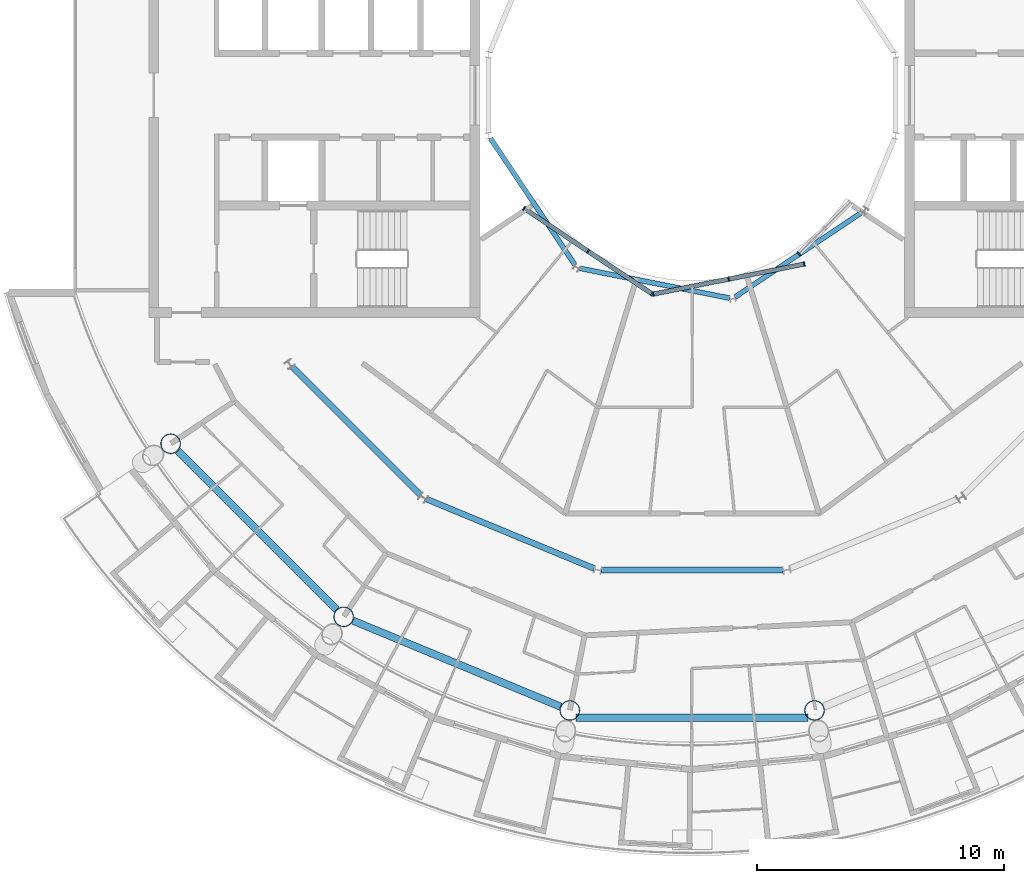
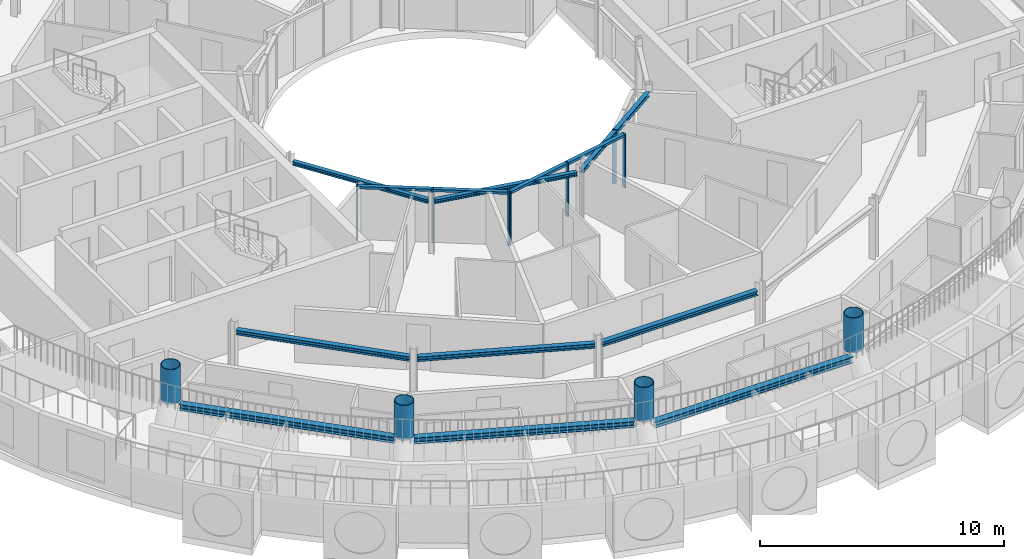
# One storey, part 6 of 29: 15 members, 9 beams, 3 elements without a shape of their own.
"""IFC4 building model written with IfcOpenShell, lengths in metres."""

from ifc_helpers import new_model, si_unit, direction, frame, origin, origin_2d, place, context, subcontext, project, spatial, rectangle, hollow_circle, i_section, extrude, material, layer, layer_set, material_profile, profile_set, type_object, element, aggregate, save


model = new_model("IFC4")

# Units and contexts
model_context = context("Model", 3, precision=1e-05, world=origin(), true_north=direction((0.0, 1.0)))
body_context = subcontext(model_context, "Body", "Model", "MODEL_VIEW")
ifc_project = project(units=[si_unit("LENGTHUNIT", "METRE"), si_unit("AREAUNIT", "SQUARE_METRE"), si_unit("VOLUMEUNIT", "CUBIC_METRE"), si_unit("PLANEANGLEUNIT", "RADIAN"), si_unit("MASSUNIT", "GRAM", prefix="KILO")], contexts=[model_context])

# Site, building, storey
site_placement = place(None, origin())
site = spatial("IfcSite", under=ifc_project, at=site_placement, CompositionType="ELEMENT")
building_placement = place(site_placement, origin())
building = spatial("IfcBuilding", under=site, at=building_placement, Name="Maasbend Ring Residences", CompositionType="ELEMENT")
storey_placement = place(building_placement, frame((0.0, 0.0, 234.050048828125)))
storey = spatial("IfcBuildingStorey", under=building, at=storey_placement, Name="L67", CompositionType="ELEMENT", Elevation=234.050048828125)

# Curtain wall, members
ifc_material_1 = material(Name="Aluminium and clear glass", Category="aluminium")
ifc_layer = layer(ifc_material_1, 0.179931640625)
ifc_layer_set = layer_set([ifc_layer], Name="CW-W")
curtain_wall_type = type_object("IfcCurtainWallType", Name="CW-W", PredefinedType="NOTDEFINED", material=ifc_layer_set)
curtain_wall_1_placement = place(storey_placement, origin())
curtain_wall_1 = element("IfcCurtainWall", 1, at=curtain_wall_1_placement, inside=storey, type_object=curtain_wall_type, Name="Well curtain wall S1", PredefinedType="NOTDEFINED")
ifc_material_2 = material(Name="Aluminium 6063-T6", Category="aluminium")
ifc_material_profile_1 = material_profile(ifc_material_2, rectangle(XDim=0.179931640625, YDim=0.06005859375, at=origin_2d()), Name="AL 180x60")
ifc_profile_set_1 = profile_set([ifc_material_profile_1], Name="Aluminium 6063-T6")
member_type_1 = type_object("IfcMemberType", Name="CWM-W", PredefinedType="MULLION", material=ifc_profile_set_1)
member_1_placement = place(storey_placement, frame((-6.805908203125, -4.580810546875, 0.0), z_axis=(0.0, 0.0, 1.0), x_axis=(0.55557023302, 0.831469612303, 0.0)))
member_1 = element("IfcMember", 2, at=member_1_placement, type_object=member_type_1, Name="Mullion well face", PredefinedType="MULLION", context=body_context, shape_type="SweptSolid", body=[
    extrude(rectangle(XDim=0.179931640625, YDim=0.06005859375, at=origin_2d()), origin(), (0.0, 0.0, 1.0), 2.699951171875),
])
member_2_placement = place(storey_placement, frame((-4.216796875, -6.310791015625, 0.0), z_axis=(0.0, 0.0, 1.0), x_axis=(0.55557023302, 0.831469612303, 0.0)))
member_2 = element("IfcMember", 3, at=member_2_placement, type_object=member_type_1, Name="Mullion well face", PredefinedType="MULLION", context=body_context, shape_type="SweptSolid", body=[
    extrude(rectangle(XDim=0.179931640625, YDim=0.06005859375, at=origin_2d()), origin(), (0.0, 0.0, 1.0), 2.699951171875),
])
member_3_placement = place(storey_placement, frame((-1.627685546875, -8.040771484375, 0.0), z_axis=(0.0, 0.0, 1.0), x_axis=(0.55557023302, 0.831469612303, 0.0)))
member_3 = element("IfcMember", 4, at=member_3_placement, type_object=member_type_1, Name="Mullion well face", PredefinedType="MULLION", context=body_context, shape_type="SweptSolid", body=[
    extrude(rectangle(XDim=0.179931640625, YDim=0.06005859375, at=origin_2d()), origin(), (0.0, 0.0, 1.0), 2.699951171875),
])

curtain_wall_2_placement = place(storey_placement, origin())
curtain_wall_2 = element("IfcCurtainWall", 5, at=curtain_wall_2_placement, inside=storey, type_object=curtain_wall_type, Name="Well curtain wall S2", PredefinedType="NOTDEFINED")
member_4_placement = place(storey_placement, frame((-1.5732421875, -8.0517578125, 0.0), z_axis=(0.0, 0.0, 1.0), x_axis=(-0.195090322016, 0.980785280403, 0.0)))
member_4 = element("IfcMember", 6, at=member_4_placement, type_object=member_type_1, Name="Mullion well face", PredefinedType="MULLION", context=body_context, shape_type="SweptSolid", body=[
    extrude(rectangle(XDim=0.179931640625, YDim=0.06005859375, at=origin_2d()), origin(), (0.0, 0.0, 1.0), 2.699951171875),
])
member_5_placement = place(storey_placement, frame((1.480712890625, -7.444091796875, 0.0), z_axis=(0.0, 0.0, 1.0), x_axis=(-0.195090322016, 0.980785280403, 0.0)))
member_5 = element("IfcMember", 7, at=member_5_placement, type_object=member_type_1, Name="Mullion well face", PredefinedType="MULLION", context=body_context, shape_type="SweptSolid", body=[
    extrude(rectangle(XDim=0.179931640625, YDim=0.06005859375, at=origin_2d()), origin(), (0.0, 0.0, 1.0), 2.699951171875),
])
member_6_placement = place(storey_placement, frame((4.53466796875, -6.836669921875, 0.0), z_axis=(0.0, 0.0, 1.0), x_axis=(-0.195090322016, 0.980785280403, 0.0)))
member_6 = element("IfcMember", 8, at=member_6_placement, type_object=member_type_1, Name="Mullion well face", PredefinedType="MULLION", context=body_context, shape_type="SweptSolid", body=[
    extrude(rectangle(XDim=0.179931640625, YDim=0.06005859375, at=origin_2d()), origin(), (0.0, 0.0, 1.0), 2.699951171875),
])

# Curtain wall, member
curtain_wall_3_placement = place(storey_placement, origin())
curtain_wall_3 = element("IfcCurtainWall", 9, at=curtain_wall_3_placement, inside=storey, type_object=curtain_wall_type, Name="Well curtain wall S3", PredefinedType="NOTDEFINED")
member_7_placement = place(storey_placement, frame((4.320556640625, -6.413330078125, 0.0), z_axis=(0.0, 0.0, 1.0), x_axis=(-0.707106781187, 0.707106781187, 0.0)))
member_7 = element("IfcMember", 10, at=member_7_placement, type_object=member_type_1, Name="Mullion well face", PredefinedType="MULLION", context=body_context, shape_type="SweptSolid", body=[
    extrude(rectangle(XDim=0.179931640625, YDim=0.06005859375, at=origin_2d()), origin(), (0.0, 0.0, 1.0), 2.699951171875),
])
aggregate(curtain_wall_3, [member_7])

# Member
ifc_material_3 = material(Name="Aluminium 6063-T6", Category="aluminium")
ifc_material_profile_2 = material_profile(ifc_material_3, rectangle(XDim=0.179931640625, YDim=0.1201171875, at=origin_2d()), Name="AL 180x120")
ifc_profile_set_2 = profile_set([ifc_material_profile_2], Name="Aluminium 6063-T6")
member_type_2 = type_object("IfcMemberType", Name="CWT-W", PredefinedType="USERDEFINED", material=ifc_profile_set_2)
member_8_placement = place(storey_placement, frame((-6.781005859375, -4.59765625, 2.639892578125), z_axis=(0.831496422459, -0.555530106689, 0.0), x_axis=(0.555530106689, 0.831496422459, 0.0)))
member_8 = element("IfcMember", 11, at=member_8_placement, type_object=member_type_2, Name="Transom well face", ObjectType="TRANSOM", PredefinedType="USERDEFINED", context=body_context, shape_type="SweptSolid", body=[
    extrude(rectangle(XDim=0.179931640625, YDim=0.1201171875, at=origin_2d()), origin(), (0.0, 0.0, 1.0), 3.053955078125),
])

member_9_placement = place(storey_placement, frame((-4.19189453125, -6.32763671875, 2.639892578125), z_axis=(0.831496422459, -0.555530106689, 0.0), x_axis=(0.555530106689, 0.831496422459, 0.0)))
member_9 = element("IfcMember", 12, at=member_9_placement, type_object=member_type_2, Name="Transom well face", ObjectType="TRANSOM", PredefinedType="USERDEFINED", context=body_context, shape_type="SweptSolid", body=[
    extrude(rectangle(XDim=0.179931640625, YDim=0.1201171875, at=origin_2d()), origin(), (0.0, 0.0, 1.0), 3.053955078125),
])

aggregate(curtain_wall_1, [member_1, member_2, member_3, member_8, member_9])

member_10_placement = place(storey_placement, frame((-1.5439453125, -8.0458984375, 2.639892578125), z_axis=(0.980776956105, 0.195132166424, 0.0), x_axis=(-0.195132166424, 0.980776956105, 0.0)))
member_10 = element("IfcMember", 13, at=member_10_placement, type_object=member_type_2, Name="Transom well face", ObjectType="TRANSOM", PredefinedType="USERDEFINED", context=body_context, shape_type="SweptSolid", body=[
    extrude(rectangle(XDim=0.179931640625, YDim=0.1201171875, at=origin_2d()), origin(), (0.0, 0.0, 1.0), 3.053955078125),
])

member_11_placement = place(storey_placement, frame((1.51025390625, -7.438232421875, 2.639892578125), z_axis=(0.980789210404, 0.19507056353, 0.0), x_axis=(-0.19507056353, 0.980789210404, 0.0)))
member_11 = element("IfcMember", 14, at=member_11_placement, type_object=member_type_2, Name="Transom well face", ObjectType="TRANSOM", PredefinedType="USERDEFINED", context=body_context, shape_type="SweptSolid", body=[
    extrude(rectangle(XDim=0.179931640625, YDim=0.1201171875, at=origin_2d()), origin(), (0.0, 0.0, 1.0), 3.0537109375),
])

aggregate(curtain_wall_2, [member_4, member_5, member_6, member_10, member_11])

# Members
ifc_material_4 = material(Name="Steel S460NH", Category="steel")
ifc_material_profile_3 = material_profile(ifc_material_4, hollow_circle(Radius=0.406494140625, WallThickness=0.030029296875, at=origin_2d()), Name="Column node insert CHS 813x30")
ifc_profile_set_3 = profile_set([ifc_material_profile_3], Name="Steel S460NH")
member_type_3 = type_object("IfcMemberType", Name="Column node insert CHS 813x30", PredefinedType="POST", material=ifc_profile_set_3)
for number, where, z_axis, x_axis, name in (
    (15, (-21.119384765625, -14.111572265625, 2.800048828125), (0.0, 0.0, 1.0), (1.0, 0.0, 0.0), "Column node insert R10"),
    (16, (-14.111572265625, -21.119384765625, 2.800048828125), (0.0, 0.0, 1.0), (1.0, 0.0, 0.0), "Column node insert R11"),
    (17, (-4.955322265625, -24.911865234375, 2.800048828125), (0.0, 0.0, 1.0), (1.0, 0.0, 0.0), "Column node insert R12"),
    (18, (4.955322265625, -24.911865234375, 2.800048828125), (0.0, 0.0, 1.0), (1.0, 0.0, 0.0), "Column node insert R13"),
):
    element("IfcMember", number, at=place(storey_placement, frame(where, z_axis=z_axis, x_axis=x_axis)), inside=storey, type_object=member_type_3, Name=name, PredefinedType="POST", context=body_context, shape_type="SweptSolid", body=[
        extrude(hollow_circle(Radius=0.406494140625, WallThickness=0.030029296875, at=origin_2d()), origin(), (0.0, 0.0, 1.0), 1.75),
    ])

# Beams
ifc_material_5 = material(Name="Steel S355J2", Category="steel")
ifc_material_profile_4 = material_profile(ifc_material_5, i_section(OverallWidth=0.239990234375, OverallDepth=0.22998046875, WebThickness=0.007568359375, FlangeThickness=0.011962890625, FilletRadius=0.02099609375, at=origin_2d()), Name="HEA 240")
ifc_profile_set_4 = profile_set([ifc_material_profile_4], Name="Steel S355J2")
beam_type_1 = type_object("IfcBeamType", Name="Corridor ring beam HEA 240", PredefinedType="BEAM", material=ifc_profile_set_4)
beam_1_placement = place(storey_placement, frame((-16.188720703125, -10.997314453125, 2.5849609375), z_axis=(0.707106781187, -0.707106781187, 0.0), x_axis=(0.707106781187, 0.707106781187, 0.0)))
element("IfcBeam", 19, at=beam_1_placement, inside=storey, type_object=beam_type_1, Name="Corridor ring beam", PredefinedType="BEAM", context=body_context, shape_type="SweptSolid", body=[
    extrude(i_section(OverallWidth=0.239990234375, OverallDepth=0.22998046875, WebThickness=0.007568359375, FlangeThickness=0.011962890625, FilletRadius=0.02099609375, at=origin_2d()), origin(), (0.0, 0.0, 1.0), 7.341796875),
])
beam_2_placement = place(storey_placement, frame((-10.747802734375, -16.355224609375, 2.5849609375), z_axis=(0.923875784142, -0.382692481603, 0.0), x_axis=(0.382692481603, 0.923875784142, 0.0)))
element("IfcBeam", 20, at=beam_2_placement, inside=storey, type_object=beam_type_1, Name="Corridor ring beam", PredefinedType="BEAM", context=body_context, shape_type="SweptSolid", body=[
    extrude(i_section(OverallWidth=0.239990234375, OverallDepth=0.22998046875, WebThickness=0.007568359375, FlangeThickness=0.011962890625, FilletRadius=0.02099609375, at=origin_2d()), origin(), (0.0, 0.0, 1.0), 7.341552734375),
])
beam_3_placement = place(storey_placement, frame((-3.6708984375, -19.223388671875, 2.5849609375), z_axis=(1.0, 0.0, 0.0), x_axis=(0.0, 1.0, 0.0)))
element("IfcBeam", 21, at=beam_3_placement, inside=storey, type_object=beam_type_1, Name="Corridor ring beam", PredefinedType="BEAM", context=body_context, shape_type="SweptSolid", body=[
    extrude(i_section(OverallWidth=0.239990234375, OverallDepth=0.22998046875, WebThickness=0.007568359375, FlangeThickness=0.011962890625, FilletRadius=0.02099609375, at=origin_2d()), origin(), (0.0, 0.0, 1.0), 7.341796875),
])
ifc_material_6 = material(Name="Steel S355J2", Category="steel")
ifc_material_profile_5 = material_profile(ifc_material_6, i_section(OverallWidth=0.300048828125, OverallDepth=0.300048828125, WebThickness=0.010986328125, FlangeThickness=0.01904296875, FilletRadius=0.027099609375, at=origin_2d()), Name="HEB 300")
ifc_profile_set_5 = profile_set([ifc_material_profile_5], Name="Steel S355J2")
beam_type_2 = type_object("IfcBeamType", Name="Spandrel ring beam HEB 300", PredefinedType="SPANDREL", material=ifc_profile_set_5)
for number, where, z_axis, x_axis, name in (
    (22, (-20.831787109375, -14.39892578125, 2.550048828125), (0.707106781187, -0.707106781187, 0.0), (0.707106781187, 0.707106781187, 0.0), "Spandrel ring beam"),
    (23, (-13.73583984375, -21.27490234375, 2.550048828125), (0.923880768897, -0.382680447453, 0.0), (0.382680447453, 0.923880768897, 0.0), "Spandrel ring beam"),
):
    element("IfcBeam", number, at=place(storey_placement, frame(where, z_axis=z_axis, x_axis=x_axis)), inside=storey, type_object=beam_type_2, Name=name, PredefinedType="SPANDREL", context=body_context, shape_type="SweptSolid", body=[
        extrude(i_section(OverallWidth=0.300048828125, OverallDepth=0.300048828125, WebThickness=0.010986328125, FlangeThickness=0.01904296875, FilletRadius=0.027099609375, at=origin_2d()), origin(), (0.0, 0.0, 1.0), 9.097412109375),
    ])
beam_4_placement = place(storey_placement, frame((-4.69873046875, -25.2119140625, 2.550048828125), z_axis=(1.0, 0.0, 0.0), x_axis=(0.0, 1.0, 0.0)))
element("IfcBeam", 24, at=beam_4_placement, inside=storey, type_object=beam_type_2, Name="Spandrel ring beam", PredefinedType="SPANDREL", context=body_context, shape_type="SweptSolid", body=[
    extrude(i_section(OverallWidth=0.300048828125, OverallDepth=0.300048828125, WebThickness=0.010986328125, FlangeThickness=0.01904296875, FilletRadius=0.027099609375, at=origin_2d()), origin(), (0.0, 0.0, 1.0), 9.3974609375),
])
ifc_material_7 = material(Name="Steel S355J2", Category="steel")
ifc_material_profile_6 = material_profile(ifc_material_7, i_section(OverallWidth=0.199951171875, OverallDepth=0.18994140625, WebThickness=0.006591796875, FlangeThickness=0.010009765625, FilletRadius=0.01806640625, at=origin_2d()), Name="HEA 200")
ifc_profile_set_6 = profile_set([ifc_material_profile_6], Name="Steel S355J2")
beam_type_3 = type_object("IfcBeamType", Name="Well edge beam HEA 200", PredefinedType="BEAM", material=ifc_profile_set_6)
for number, where, z_axis, x_axis, name in (
    (25, (-8.16943359375, -1.7421875, 2.60498046875), (0.555547729421, -0.831484648286, 0.0), (0.831484648286, 0.555547729421, 0.0), "Well edge beam"),
    (26, (-4.544677734375, -7.008544921875, 2.60498046875), (0.98078072474, -0.195113223486, 0.0), (0.195113223486, 0.98078072474, 0.0), "Well edge beam"),
    (27, (1.7421875, -8.16943359375, 2.60498046875), (0.831484648286, 0.555547729421, 0.0), (-0.555547729421, 0.831484648286, 0.0), "Well edge beam"),
):
    element("IfcBeam", number, at=place(storey_placement, frame(where, z_axis=z_axis, x_axis=x_axis)), inside=storey, type_object=beam_type_3, Name=name, PredefinedType="BEAM", context=body_context, shape_type="SweptSolid", body=[
        extrude(i_section(OverallWidth=0.199951171875, OverallDepth=0.18994140625, WebThickness=0.006591796875, FlangeThickness=0.010009765625, FilletRadius=0.01806640625, at=origin_2d()), origin(), (0.0, 0.0, 1.0), 6.18017578125),
    ])

save(model, "model.ifc")
